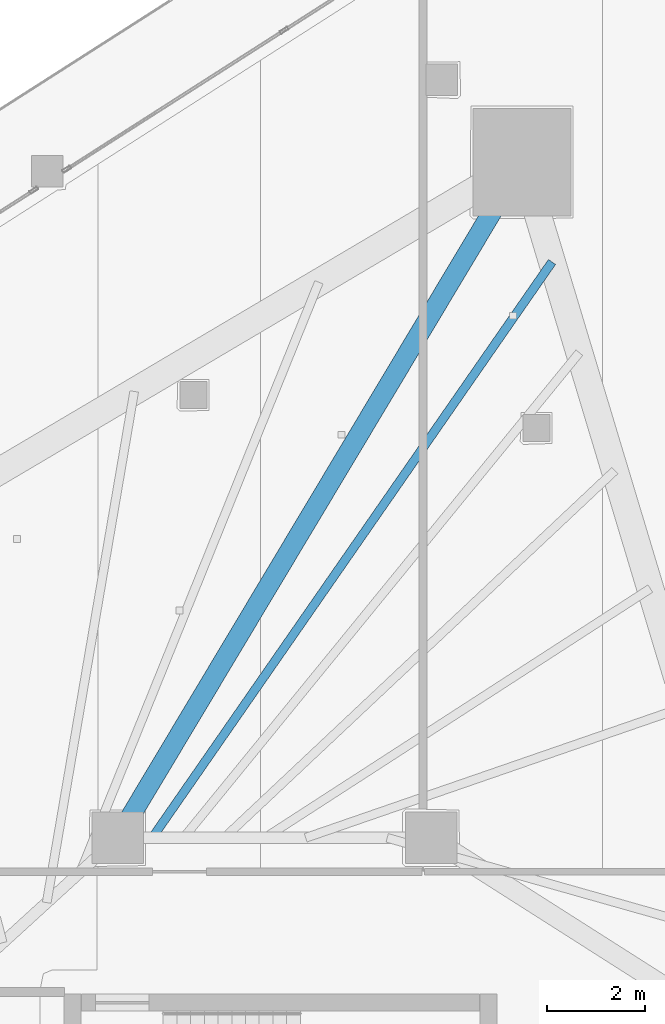
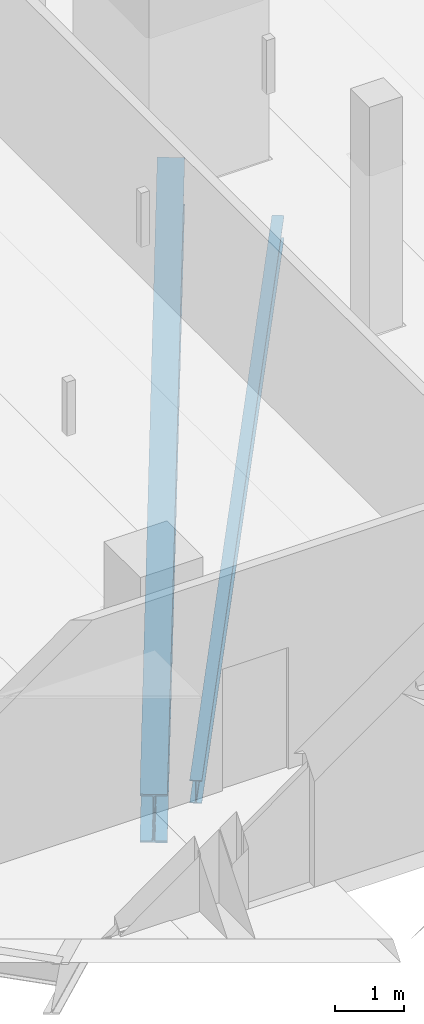
# One storey, part 19 of 35: 2 beams.
"""IFC4 building model written with IfcOpenShell, lengths in metres."""

import ifcopenshell
import ifcopenshell.guid

model = None  # the IFC model being written
_history = None  # IfcOwnerHistory: only IFC2X3 demands one
_inside = {}  # id of a spatial element -> (the spatial element, [elements in it])
_under = {}  # id of a project, library or spatial element -> (it, [spatial elements below it])
_declared = {}  # id of a project -> (the project, [libraries it declares])
_typed = {}  # id of a type object -> (the type object, [elements of that type])
_made_of = {}  # id of a material, layer set ... -> (it, [elements and type objects made of it])


def new_model(schema):
    """Start an empty IFC model of exactly this schema.

    Asked for "IFC4X3", IfcOpenShell would pick the latest addendum, in which some entities
    have other attributes; the version numbers below select the first issue.
    IFC2X3 requires an IfcOwnerHistory on every rooted entity: one is made here for all.
    """
    global model, _history
    if schema == "IFC4X3":
        model = ifcopenshell.file(schema_version=(4, 3, 0, 0))
    else:
        model = ifcopenshell.file(schema=schema)
    _inside.clear()
    _under.clear()
    _declared.clear()
    _typed.clear()
    _made_of.clear()
    _history = None
    if model.schema == "IFC2X3":
        org = make("IfcOrganization", Name="unknown")
        user = make(
            "IfcPersonAndOrganization",
            ThePerson=make("IfcPerson", FamilyName="unknown"),
            TheOrganization=org,
        )
        app = make(
            "IfcApplication",
            ApplicationDeveloper=org,
            Version="unknown",
            ApplicationFullName="unknown",
            ApplicationIdentifier="unknown",
        )
        _history = make(
            "IfcOwnerHistory",
            OwningUser=user,
            OwningApplication=app,
            ChangeAction="ADDED",
            CreationDate=0,
        )
    return model


def make(cls, **values):
    """One entity of the class cls with the attributes given. An attribute that is None is left unset."""
    return model.create_entity(
        cls, **{name: value for name, value in values.items() if value is not None}
    )


def rooted(cls, **values):
    """An entity with a GlobalId (a new one), such as an element, a storey or a relation."""
    return make(cls, GlobalId=ifcopenshell.guid.new(), OwnerHistory=_history, **values)


def si_unit(unit_type, name, prefix=None):
    """IfcSIUnit, for example si_unit("LENGTHUNIT", "METRE", prefix="MILLI")."""
    return make("IfcSIUnit", UnitType=unit_type, Prefix=prefix, Name=name)


def assignment(units):
    """IfcUnitAssignment: the units of a project."""
    return None if units is None else make("IfcUnitAssignment", Units=units)


def point(xyz):
    """IfcCartesianPoint."""
    return None if xyz is None else make("IfcCartesianPoint", Coordinates=xyz)


def direction(xyz):
    """IfcDirection."""
    return None if xyz is None else make("IfcDirection", DirectionRatios=xyz)


def frame(location, z_axis=None, x_axis=None):
    """IfcAxis2Placement3D, a coordinate frame: its origin and axes. An axis left out is left unset."""
    return make(
        "IfcAxis2Placement3D",
        Location=point(location),
        Axis=direction(z_axis),
        RefDirection=direction(x_axis),
    )


def frame_2d(location, x_axis=None):
    """IfcAxis2Placement2D, a coordinate frame in the plane: its origin and x axis."""
    return make(
        "IfcAxis2Placement2D", Location=point(location), RefDirection=direction(x_axis)
    )


def origin():
    """The frame at (0, 0, 0) with its axes left unset."""
    return frame((0.0, 0.0, 0.0))


def origin_2d():
    """The frame at (0, 0) in the plane with its x axis left unset."""
    return frame_2d((0.0, 0.0))


def place(relative_to, where):
    """IfcLocalPlacement: puts the frame where relative to a parent placement (None: the world)."""
    return make(
        "IfcLocalPlacement", PlacementRelTo=relative_to, RelativePlacement=where
    )


def context(
    kind, dimensions, precision=None, world=None, true_north=None, identifier=None
):
    """IfcGeometricRepresentationContext, for example the 3D "Model" context."""
    return make(
        "IfcGeometricRepresentationContext",
        ContextIdentifier=identifier,
        ContextType=kind,
        CoordinateSpaceDimension=dimensions,
        Precision=precision,
        WorldCoordinateSystem=world,
        TrueNorth=true_north,
    )


def subcontext(parent, identifier, kind, view, scale=None):
    """IfcGeometricRepresentationSubContext, for example "Body" below "Model"."""
    return make(
        "IfcGeometricRepresentationSubContext",
        ContextIdentifier=identifier,
        ContextType=kind,
        ParentContext=parent,
        TargetScale=scale,
        TargetView=view,
    )


def project(units=None, contexts=None):
    """IfcProject with its units and contexts."""
    return rooted(
        "IfcProject",
        Name="project",
        RepresentationContexts=contexts,
        UnitsInContext=assignment(units),
    )


def spatial(cls, under=None, at=None, **own):
    """A site, building, storey or space (cls), placed at a placement, below another one or the project."""
    s = rooted(cls, ObjectPlacement=at, **own)
    if under is not None:
        _under.setdefault(under.id(), (under, []))[1].append(s)
    return s


def profile(cls, at=None, kind="AREA", **sizes):
    """A parametric profile (cls). Its sizes go by their IFC names, for example OverallWidth=200.0."""
    return make(cls, ProfileType=kind, Position=at, **sizes)


def i_section(**sizes):
    """IfcIShapeProfileDef."""
    return profile("IfcIShapeProfileDef", **sizes)


def extrude(swept, where, along, depth):
    """IfcExtrudedAreaSolid: the profile swept, set in the frame where, extruded along a direction by depth."""
    return make(
        "IfcExtrudedAreaSolid",
        SweptArea=swept,
        Position=where,
        ExtrudedDirection=direction(along),
        Depth=depth,
    )


def shape(context_of_items, identifier, shape_type, items):
    """IfcShapeRepresentation: the items that make up one representation, for example the "Body"."""
    return make(
        "IfcShapeRepresentation",
        ContextOfItems=context_of_items,
        RepresentationIdentifier=identifier,
        RepresentationType=shape_type,
        Items=items,
    )


def material(Name=None, Category=None):
    """IfcMaterial."""
    return make("IfcMaterial", Name=Name, Category=Category)


def material_profile(
    of_material, cross_section, Name=None, Category=None, Priority=None
):
    """IfcMaterialProfile: a cross section and its material."""
    return make(
        "IfcMaterialProfile",
        Name=Name,
        Material=of_material,
        Profile=cross_section,
        Priority=Priority,
        Category=Category,
    )


def profile_set(profiles, Name=None, composite=None):
    """IfcMaterialProfileSet."""
    return make(
        "IfcMaterialProfileSet",
        Name=Name,
        MaterialProfiles=profiles,
        CompositeProfile=composite,
    )


def made_of(thing, what):
    """Note that an element or type object is made of a material, layer set ...; save() writes the relation."""
    if what is not None:
        _made_of.setdefault(what.id(), (what, []))[1].append(thing)
    return thing


def type_object(cls, material=None, **own):
    """A type object (cls), such as IfcWallType, which elements share."""
    return made_of(rooted(cls, **own), material)


def element(
    cls,
    number,
    at=None,
    inside=None,
    cuts=None,
    type_object=None,
    material=None,
    context=None,
    identifier="Body",
    shape_type=None,
    held_by="IfcProductDefinitionShape",
    body=None,
    shapes=None,
    **own,
):
    """One element of the class cls, such as IfcWall. Its Tag is "e" and its number.

    at: its placement. inside: the storey or other place that contains it. cuts: it is an
    opening in that element (IfcRelVoidsElement). A single representation is given by context,
    identifier, shape_type and body (its items); several are given by shapes. held_by: the class
    of the entity that holds the representations. save() writes the other relations.
    """
    e = rooted(cls, Tag="e%d" % number, ObjectPlacement=at, **own)
    if body is not None:
        shapes = [shape(context, identifier, shape_type, body)]
    if shapes is not None:
        e.Representation = make(held_by, Representations=shapes)
    if inside is not None:
        _inside.setdefault(inside.id(), (inside, []))[1].append(e)
    if cuts is not None:
        rooted(
            "IfcRelVoidsElement", RelatingBuildingElement=cuts, RelatedOpeningElement=e
        )
    if type_object is not None:
        _typed.setdefault(type_object.id(), (type_object, []))[1].append(e)
    return made_of(e, material)


def aggregate(whole, parts):
    """IfcRelAggregates: a whole, such as a stair, and the parts it consists of."""
    return rooted("IfcRelAggregates", RelatingObject=whole, RelatedObjects=parts)


def save(model, path):
    """Write the relations noted so far, then the file.

    IfcRelAggregates (storeys below a building ...), IfcRelContainedInSpatialStructure (elements
    in a storey), IfcRelDefinesByType, IfcRelAssociatesMaterial and IfcRelDeclares: one each for
    every whole, place, type object, material and project.
    """
    for whole, parts in _under.values():
        aggregate(whole, parts)
    for where, things in _inside.values():
        rooted(
            "IfcRelContainedInSpatialStructure",
            RelatedElements=things,
            RelatingStructure=where,
        )
    for kind, things in _typed.values():
        rooted("IfcRelDefinesByType", RelatedObjects=things, RelatingType=kind)
    for what, things in _made_of.values():
        rooted("IfcRelAssociatesMaterial", RelatedObjects=things, RelatingMaterial=what)
    for by, libraries in _declared.values():
        rooted("IfcRelDeclares", RelatingContext=by, RelatedDefinitions=libraries)
    model.write(path)


model = new_model("IFC4")

# Units and contexts
model_context = context("Model", 3, precision=1e-05, world=origin(), true_north=direction((0.0, 1.0)))
body_context = subcontext(model_context, "Body", "Model", "MODEL_VIEW")
ifc_project = project(units=[si_unit("LENGTHUNIT", "METRE"), si_unit("AREAUNIT", "SQUARE_METRE"), si_unit("VOLUMEUNIT", "CUBIC_METRE"), si_unit("PLANEANGLEUNIT", "RADIAN"), si_unit("MASSUNIT", "GRAM", prefix="KILO")], contexts=[model_context])

# Site, building, storey
site_placement = place(None, origin())
site = spatial("IfcSite", under=ifc_project, at=site_placement, CompositionType="ELEMENT")
building_placement = place(site_placement, origin())
building = spatial("IfcBuilding", under=site, at=building_placement, Name="Qorvath Tower", CompositionType="ELEMENT")
storey_placement = place(building_placement, frame((0.0, 0.0, 130.050048828125)))
storey = spatial("IfcBuildingStorey", under=building, at=storey_placement, Name="L29", CompositionType="ELEMENT", Elevation=130.050048828125)

# Beams
ifc_material_1 = material(Name="Steel ASTM A992 Grade 50", Category="steel")
ifc_material_profile_1 = material_profile(ifc_material_1, i_section(OverallWidth=0.39892578125, OverallDepth=0.85498046875, WebThickness=0.018310546875, FlangeThickness=0.029296875, FilletRadius=0.02001953125, at=origin_2d()), Name="W33x201")
ifc_profile_set_1 = profile_set([ifc_material_profile_1], Name="Steel ASTM A992 Grade 50")
beam_type_1 = type_object("IfcBeamType", Name="BM-FG2", PredefinedType="BEAM", material=ifc_profile_set_1)
beam_1_placement = place(storey_placement, frame((-23.60009765625, 11.449951171875, -0.70751953125), z_axis=(0.513497213955, 0.85809126045, 0.0), x_axis=(-0.85809126045, 0.513497213955, 0.0)))
element("IfcBeam", 1, at=beam_1_placement, inside=storey, type_object=beam_type_1, Name="Radial Floor Girder CC1-MC6 L29", PredefinedType="BEAM", context=body_context, shape_type="SweptSolid", body=[
    extrude(i_section(OverallWidth=0.39892578125, OverallDepth=0.85498046875, WebThickness=0.018310546875, FlangeThickness=0.029296875, FilletRadius=0.02001953125, at=origin_2d()), origin(), (0.0, 0.0, 1.0), 16.07763671875),
])
ifc_material_2 = material(Name="Steel ASTM A992 Grade 50", Category="steel")
ifc_material_profile_2 = material_profile(ifc_material_2, i_section(OverallWidth=0.177978515625, OverallDepth=0.406005859375, WebThickness=0.0078125, FlangeThickness=0.0126953125, FilletRadius=0.010986328125, at=origin_2d()), Name="W16x40")
ifc_profile_set_2 = profile_set([ifc_material_profile_2], Name="Steel ASTM A992 Grade 50")
beam_type_2 = type_object("IfcBeamType", Name="BM-FJ3", PredefinedType="JOIST", material=ifc_profile_set_2)
beam_2_placement = place(storey_placement, frame((-22.89599609375, 11.449951171875, -0.483154296875), z_axis=(0.570366725248, 0.821390162304, 0.0), x_axis=(-0.821390162304, 0.570366725248, 0.0)))
element("IfcBeam", 2, at=beam_2_placement, inside=storey, type_object=beam_type_2, Name="Composite Floor Joist NE7 L29", PredefinedType="JOIST", context=body_context, shape_type="SweptSolid", body=[
    extrude(i_section(OverallWidth=0.177978515625, OverallDepth=0.406005859375, WebThickness=0.0078125, FlangeThickness=0.0126953125, FilletRadius=0.010986328125, at=origin_2d()), origin(), (0.0, 0.0, 1.0), 14.3154296875),
])

save(model, "model.ifc")
